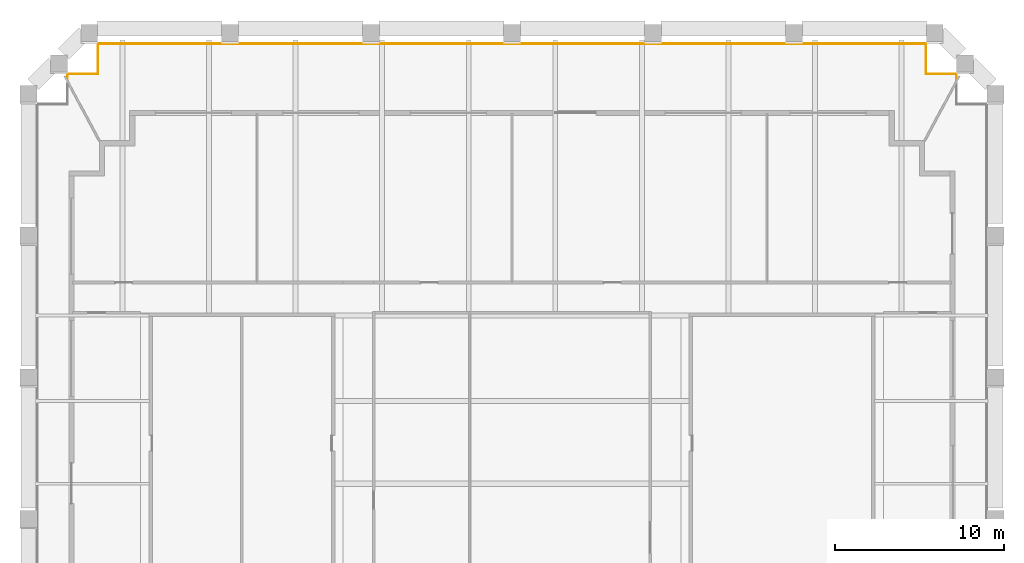
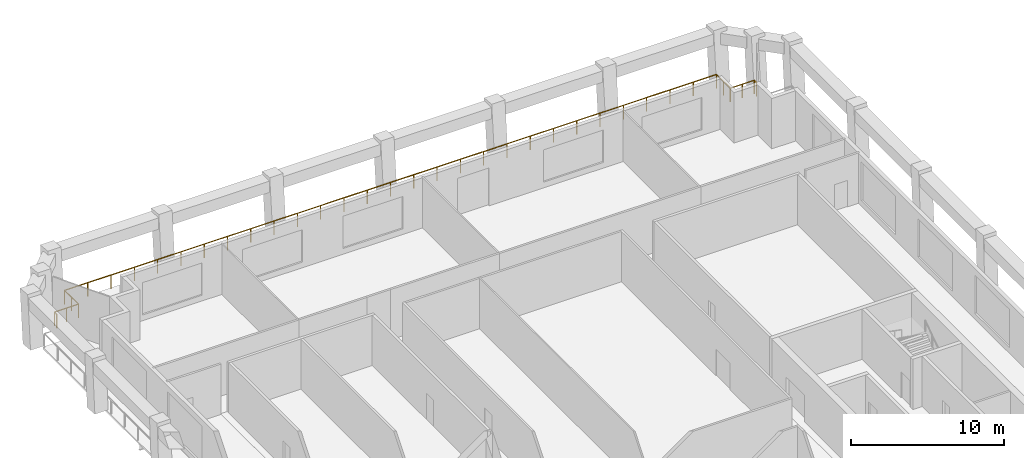
# One storey, part 8 of 8: 1 railing.
"""IFC4 building model written with IfcOpenShell, lengths in metres."""

from ifc_helpers import new_model, si_unit, direction, frame, origin, origin_2d, place, context, subcontext, project, spatial, circle, extrude, material, type_object, element, save


model = new_model("IFC4")

# Units and contexts
model_context = context("Model", 3, precision=1e-05, world=origin(), true_north=direction((0.0, 1.0)))
body_context = subcontext(model_context, "Body", "Model", "MODEL_VIEW")
ifc_project = project(units=[si_unit("LENGTHUNIT", "METRE"), si_unit("AREAUNIT", "SQUARE_METRE"), si_unit("VOLUMEUNIT", "CUBIC_METRE"), si_unit("PLANEANGLEUNIT", "RADIAN"), si_unit("MASSUNIT", "GRAM", prefix="KILO")], contexts=[model_context])

# Site, building, storey
site_placement = place(None, origin())
site = spatial("IfcSite", under=ifc_project, at=site_placement, CompositionType="ELEMENT")
building_placement = place(site_placement, origin())
building = spatial("IfcBuilding", under=site, at=building_placement, Name="Ogive Exchange Tower", CompositionType="ELEMENT")
storey_placement = place(building_placement, frame((0.0, 0.0, 325.800048828125)))
storey = spatial("IfcBuildingStorey", under=building, at=storey_placement, Name="L71", CompositionType="ELEMENT", Elevation=325.800048828125)

# Railing
ifc_material = material(Name="Stainless steel 316", Category="steel")
railing_type = type_object("IfcRailingType", Name="Guard 1100 stainless steel and glass", PredefinedType="GUARDRAIL", material=ifc_material)
railing_placement = place(storey_placement, frame((-26.330078125, 54.841064453125, -0.050048828125)))
element("IfcRailing", 1, at=railing_placement, inside=storey, type_object=railing_type, Name="Loggia guard 3", PredefinedType="GUARDRAIL", context=body_context, shape_type="SweptSolid", body=[
    extrude(circle(Radius=0.02392578125, at=origin_2d()), frame((0.0, 0.0, 1.076171875), z_axis=(0.0, 1.0, 0.0), x_axis=(-1.0, 0.0, 0.0)), (0.0, 0.0, 1.0), 0.3115234375),
    extrude(circle(Radius=0.02392578125, at=origin_2d()), frame((0.0, 0.3115234375, 1.076171875), z_axis=(1.0, 0.0, 0.0), x_axis=(0.0, 1.0, 0.0)), (0.0, 0.0, 1.0), 1.800048828125),
    extrude(circle(Radius=0.02392578125, at=origin_2d()), frame((1.800048828125, 0.3115234375, 1.076171875), z_axis=(0.0, 1.0, 0.0), x_axis=(-1.0, 0.0, 0.0)), (0.0, 0.0, 1.0), 1.800048828125),
    extrude(circle(Radius=0.02392578125, at=origin_2d()), frame((1.800048828125, 2.111572265625, 1.076171875), z_axis=(1.0, 0.0, 0.0), x_axis=(0.0, 1.0, 0.0)), (0.0, 0.0, 1.0), 49.06005859375),
    extrude(circle(Radius=0.02392578125, at=origin_2d()), frame((50.860107421875, 2.111572265625, 1.076171875), z_axis=(0.0, -1.0, 0.0), x_axis=(1.0, 0.0, 0.0)), (0.0, 0.0, 1.0), 1.800048828125),
    extrude(circle(Radius=0.02392578125, at=origin_2d()), frame((50.860107421875, 0.3115234375, 1.076171875), z_axis=(1.0, 0.0, 0.0), x_axis=(0.0, 1.0, 0.0)), (0.0, 0.0, 1.0), 1.800048828125),
    extrude(circle(Radius=0.02392578125, at=origin_2d()), frame((52.66015625, 0.3115234375, 1.076171875), z_axis=(0.0, -1.0, 0.0), x_axis=(1.0, 0.0, 0.0)), (0.0, 0.0, 1.0), 0.3115234375),
    extrude(circle(Radius=0.02099609375, at=origin_2d()), origin(), (0.0, 0.0, 1.0), 1.052001953125),
    extrude(circle(Radius=0.02099609375, at=origin_2d()), frame((0.0, 0.3115234375, 0.0)), (0.0, 0.0, 1.0), 1.052001953125),
    extrude(circle(Radius=0.02099609375, at=origin_2d()), frame((0.89990234375, 0.3115234375, 0.0)), (0.0, 0.0, 1.0), 1.052001953125),
    extrude(circle(Radius=0.02099609375, at=origin_2d()), frame((1.800048828125, 0.3115234375, 0.0)), (0.0, 0.0, 1.0), 1.052001953125),
    extrude(circle(Radius=0.02099609375, at=origin_2d()), frame((1.800048828125, 1.21142578125, 0.0)), (0.0, 0.0, 1.0), 1.052001953125),
    extrude(circle(Radius=0.02099609375, at=origin_2d()), frame((1.800048828125, 2.111572265625, 0.0)), (0.0, 0.0, 1.0), 1.052001953125),
    extrude(circle(Radius=0.02099609375, at=origin_2d()), frame((3.55224609375, 2.111572265625, 0.0)), (0.0, 0.0, 1.0), 1.052001953125),
    extrude(circle(Radius=0.02099609375, at=origin_2d()), frame((5.304443359375, 2.111572265625, 0.0)), (0.0, 0.0, 1.0), 1.052001953125),
    extrude(circle(Radius=0.02099609375, at=origin_2d()), frame((7.056396484375, 2.111572265625, 0.0)), (0.0, 0.0, 1.0), 1.052001953125),
    extrude(circle(Radius=0.02099609375, at=origin_2d()), frame((8.80859375, 2.111572265625, 0.0)), (0.0, 0.0, 1.0), 1.052001953125),
    extrude(circle(Radius=0.02099609375, at=origin_2d()), frame((10.560791015625, 2.111572265625, 0.0)), (0.0, 0.0, 1.0), 1.052001953125),
    extrude(circle(Radius=0.02099609375, at=origin_2d()), frame((12.31298828125, 2.111572265625, 0.0)), (0.0, 0.0, 1.0), 1.052001953125),
    extrude(circle(Radius=0.02099609375, at=origin_2d()), frame((14.06494140625, 2.111572265625, 0.0)), (0.0, 0.0, 1.0), 1.052001953125),
    extrude(circle(Radius=0.02099609375, at=origin_2d()), frame((15.817138671875, 2.111572265625, 0.0)), (0.0, 0.0, 1.0), 1.052001953125),
    extrude(circle(Radius=0.02099609375, at=origin_2d()), frame((17.5693359375, 2.111572265625, 0.0)), (0.0, 0.0, 1.0), 1.052001953125),
    extrude(circle(Radius=0.02099609375, at=origin_2d()), frame((19.321533203125, 2.111572265625, 0.0)), (0.0, 0.0, 1.0), 1.052001953125),
    extrude(circle(Radius=0.02099609375, at=origin_2d()), frame((21.07373046875, 2.111572265625, 0.0)), (0.0, 0.0, 1.0), 1.052001953125),
    extrude(circle(Radius=0.02099609375, at=origin_2d()), frame((22.82568359375, 2.111572265625, 0.0)), (0.0, 0.0, 1.0), 1.052001953125),
    extrude(circle(Radius=0.02099609375, at=origin_2d()), frame((24.577880859375, 2.111572265625, 0.0)), (0.0, 0.0, 1.0), 1.052001953125),
    extrude(circle(Radius=0.02099609375, at=origin_2d()), frame((26.330078125, 2.111572265625, 0.0)), (0.0, 0.0, 1.0), 1.052001953125),
    extrude(circle(Radius=0.02099609375, at=origin_2d()), frame((28.082275390625, 2.111572265625, 0.0)), (0.0, 0.0, 1.0), 1.052001953125),
    extrude(circle(Radius=0.02099609375, at=origin_2d()), frame((29.83447265625, 2.111572265625, 0.0)), (0.0, 0.0, 1.0), 1.052001953125),
    extrude(circle(Radius=0.02099609375, at=origin_2d()), frame((31.58642578125, 2.111572265625, 0.0)), (0.0, 0.0, 1.0), 1.052001953125),
    extrude(circle(Radius=0.02099609375, at=origin_2d()), frame((33.338623046875, 2.111572265625, 0.0)), (0.0, 0.0, 1.0), 1.052001953125),
    extrude(circle(Radius=0.02099609375, at=origin_2d()), frame((35.0908203125, 2.111572265625, 0.0)), (0.0, 0.0, 1.0), 1.052001953125),
    extrude(circle(Radius=0.02099609375, at=origin_2d()), frame((36.843017578125, 2.111572265625, 0.0)), (0.0, 0.0, 1.0), 1.052001953125),
    extrude(circle(Radius=0.02099609375, at=origin_2d()), frame((38.59521484375, 2.111572265625, 0.0)), (0.0, 0.0, 1.0), 1.052001953125),
    extrude(circle(Radius=0.02099609375, at=origin_2d()), frame((40.34716796875, 2.111572265625, 0.0)), (0.0, 0.0, 1.0), 1.052001953125),
    extrude(circle(Radius=0.02099609375, at=origin_2d()), frame((42.099365234375, 2.111572265625, 0.0)), (0.0, 0.0, 1.0), 1.052001953125),
    extrude(circle(Radius=0.02099609375, at=origin_2d()), frame((43.8515625, 2.111572265625, 0.0)), (0.0, 0.0, 1.0), 1.052001953125),
    extrude(circle(Radius=0.02099609375, at=origin_2d()), frame((45.603759765625, 2.111572265625, 0.0)), (0.0, 0.0, 1.0), 1.052001953125),
    extrude(circle(Radius=0.02099609375, at=origin_2d()), frame((47.355712890625, 2.111572265625, 0.0)), (0.0, 0.0, 1.0), 1.052001953125),
    extrude(circle(Radius=0.02099609375, at=origin_2d()), frame((49.10791015625, 2.111572265625, 0.0)), (0.0, 0.0, 1.0), 1.052001953125),
    extrude(circle(Radius=0.02099609375, at=origin_2d()), frame((50.860107421875, 2.111572265625, 0.0)), (0.0, 0.0, 1.0), 1.052001953125),
    extrude(circle(Radius=0.02099609375, at=origin_2d()), frame((50.860107421875, 1.21142578125, 0.0)), (0.0, 0.0, 1.0), 1.052001953125),
    extrude(circle(Radius=0.02099609375, at=origin_2d()), frame((50.860107421875, 0.3115234375, 0.0)), (0.0, 0.0, 1.0), 1.052001953125),
    extrude(circle(Radius=0.02099609375, at=origin_2d()), frame((51.76025390625, 0.3115234375, 0.0)), (0.0, 0.0, 1.0), 1.052001953125),
    extrude(circle(Radius=0.02099609375, at=origin_2d()), frame((52.66015625, 0.3115234375, 0.0)), (0.0, 0.0, 1.0), 1.052001953125),
    extrude(circle(Radius=0.02099609375, at=origin_2d()), frame((52.66015625, 0.0, 0.0)), (0.0, 0.0, 1.0), 1.052001953125),
])

save(model, "model.ifc")
